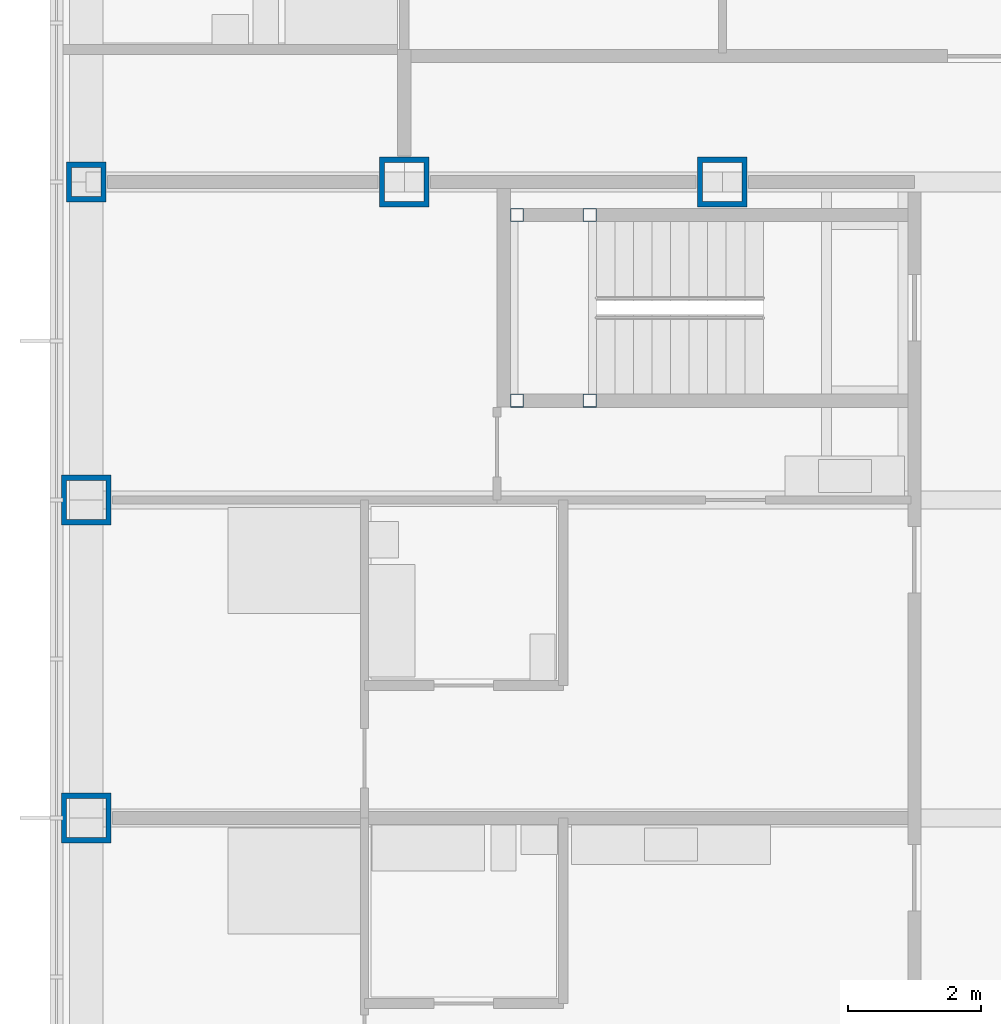
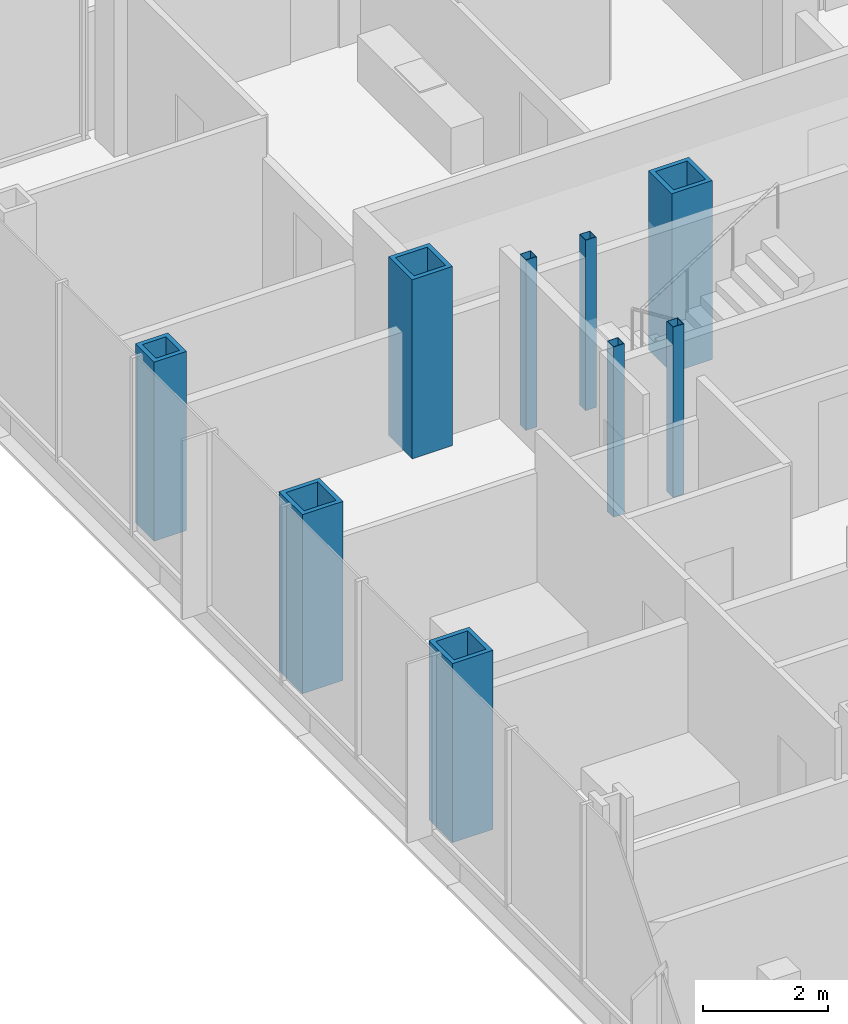
# One storey, part 3 of 21: 9 columns.
"""IFC4 building model written with IfcOpenShell, lengths in metres."""

import ifcopenshell
import ifcopenshell.guid

model = None  # the IFC model being written
_history = None  # IfcOwnerHistory: only IFC2X3 demands one
_inside = {}  # id of a spatial element -> (the spatial element, [elements in it])
_under = {}  # id of a project, library or spatial element -> (it, [spatial elements below it])
_declared = {}  # id of a project -> (the project, [libraries it declares])
_typed = {}  # id of a type object -> (the type object, [elements of that type])
_made_of = {}  # id of a material, layer set ... -> (it, [elements and type objects made of it])


def new_model(schema):
    """Start an empty IFC model of exactly this schema.

    Asked for "IFC4X3", IfcOpenShell would pick the latest addendum, in which some entities
    have other attributes; the version numbers below select the first issue.
    IFC2X3 requires an IfcOwnerHistory on every rooted entity: one is made here for all.
    """
    global model, _history
    if schema == "IFC4X3":
        model = ifcopenshell.file(schema_version=(4, 3, 0, 0))
    else:
        model = ifcopenshell.file(schema=schema)
    _inside.clear()
    _under.clear()
    _declared.clear()
    _typed.clear()
    _made_of.clear()
    _history = None
    if model.schema == "IFC2X3":
        org = make("IfcOrganization", Name="unknown")
        user = make(
            "IfcPersonAndOrganization",
            ThePerson=make("IfcPerson", FamilyName="unknown"),
            TheOrganization=org,
        )
        app = make(
            "IfcApplication",
            ApplicationDeveloper=org,
            Version="unknown",
            ApplicationFullName="unknown",
            ApplicationIdentifier="unknown",
        )
        _history = make(
            "IfcOwnerHistory",
            OwningUser=user,
            OwningApplication=app,
            ChangeAction="ADDED",
            CreationDate=0,
        )
    return model


def make(cls, **values):
    """One entity of the class cls with the attributes given. An attribute that is None is left unset."""
    return model.create_entity(
        cls, **{name: value for name, value in values.items() if value is not None}
    )


def rooted(cls, **values):
    """An entity with a GlobalId (a new one), such as an element, a storey or a relation."""
    return make(cls, GlobalId=ifcopenshell.guid.new(), OwnerHistory=_history, **values)


def si_unit(unit_type, name, prefix=None):
    """IfcSIUnit, for example si_unit("LENGTHUNIT", "METRE", prefix="MILLI")."""
    return make("IfcSIUnit", UnitType=unit_type, Prefix=prefix, Name=name)


def assignment(units):
    """IfcUnitAssignment: the units of a project."""
    return None if units is None else make("IfcUnitAssignment", Units=units)


def point(xyz):
    """IfcCartesianPoint."""
    return None if xyz is None else make("IfcCartesianPoint", Coordinates=xyz)


def direction(xyz):
    """IfcDirection."""
    return None if xyz is None else make("IfcDirection", DirectionRatios=xyz)


def frame(location, z_axis=None, x_axis=None):
    """IfcAxis2Placement3D, a coordinate frame: its origin and axes. An axis left out is left unset."""
    return make(
        "IfcAxis2Placement3D",
        Location=point(location),
        Axis=direction(z_axis),
        RefDirection=direction(x_axis),
    )


def frame_2d(location, x_axis=None):
    """IfcAxis2Placement2D, a coordinate frame in the plane: its origin and x axis."""
    return make(
        "IfcAxis2Placement2D", Location=point(location), RefDirection=direction(x_axis)
    )


def origin():
    """The frame at (0, 0, 0) with its axes left unset."""
    return frame((0.0, 0.0, 0.0))


def origin_2d():
    """The frame at (0, 0) in the plane with its x axis left unset."""
    return frame_2d((0.0, 0.0))


def place(relative_to, where):
    """IfcLocalPlacement: puts the frame where relative to a parent placement (None: the world)."""
    return make(
        "IfcLocalPlacement", PlacementRelTo=relative_to, RelativePlacement=where
    )


def context(
    kind, dimensions, precision=None, world=None, true_north=None, identifier=None
):
    """IfcGeometricRepresentationContext, for example the 3D "Model" context."""
    return make(
        "IfcGeometricRepresentationContext",
        ContextIdentifier=identifier,
        ContextType=kind,
        CoordinateSpaceDimension=dimensions,
        Precision=precision,
        WorldCoordinateSystem=world,
        TrueNorth=true_north,
    )


def subcontext(parent, identifier, kind, view, scale=None):
    """IfcGeometricRepresentationSubContext, for example "Body" below "Model"."""
    return make(
        "IfcGeometricRepresentationSubContext",
        ContextIdentifier=identifier,
        ContextType=kind,
        ParentContext=parent,
        TargetScale=scale,
        TargetView=view,
    )


def project(units=None, contexts=None):
    """IfcProject with its units and contexts."""
    return rooted(
        "IfcProject",
        Name="project",
        RepresentationContexts=contexts,
        UnitsInContext=assignment(units),
    )


def spatial(cls, under=None, at=None, **own):
    """A site, building, storey or space (cls), placed at a placement, below another one or the project."""
    s = rooted(cls, ObjectPlacement=at, **own)
    if under is not None:
        _under.setdefault(under.id(), (under, []))[1].append(s)
    return s


def profile(cls, at=None, kind="AREA", **sizes):
    """A parametric profile (cls). Its sizes go by their IFC names, for example OverallWidth=200.0."""
    return make(cls, ProfileType=kind, Position=at, **sizes)


def hollow_rectangle(**sizes):
    """IfcRectangleHollowProfileDef."""
    return profile("IfcRectangleHollowProfileDef", **sizes)


def extrude(swept, where, along, depth):
    """IfcExtrudedAreaSolid: the profile swept, set in the frame where, extruded along a direction by depth."""
    return make(
        "IfcExtrudedAreaSolid",
        SweptArea=swept,
        Position=where,
        ExtrudedDirection=direction(along),
        Depth=depth,
    )


def shape(context_of_items, identifier, shape_type, items):
    """IfcShapeRepresentation: the items that make up one representation, for example the "Body"."""
    return make(
        "IfcShapeRepresentation",
        ContextOfItems=context_of_items,
        RepresentationIdentifier=identifier,
        RepresentationType=shape_type,
        Items=items,
    )


def material(Name=None, Category=None):
    """IfcMaterial."""
    return make("IfcMaterial", Name=Name, Category=Category)


def material_profile(
    of_material, cross_section, Name=None, Category=None, Priority=None
):
    """IfcMaterialProfile: a cross section and its material."""
    return make(
        "IfcMaterialProfile",
        Name=Name,
        Material=of_material,
        Profile=cross_section,
        Priority=Priority,
        Category=Category,
    )


def profile_set(profiles, Name=None, composite=None):
    """IfcMaterialProfileSet."""
    return make(
        "IfcMaterialProfileSet",
        Name=Name,
        MaterialProfiles=profiles,
        CompositeProfile=composite,
    )


def made_of(thing, what):
    """Note that an element or type object is made of a material, layer set ...; save() writes the relation."""
    if what is not None:
        _made_of.setdefault(what.id(), (what, []))[1].append(thing)
    return thing


def type_object(cls, material=None, **own):
    """A type object (cls), such as IfcWallType, which elements share."""
    return made_of(rooted(cls, **own), material)


def element(
    cls,
    number,
    at=None,
    inside=None,
    cuts=None,
    type_object=None,
    material=None,
    context=None,
    identifier="Body",
    shape_type=None,
    held_by="IfcProductDefinitionShape",
    body=None,
    shapes=None,
    **own,
):
    """One element of the class cls, such as IfcWall. Its Tag is "e" and its number.

    at: its placement. inside: the storey or other place that contains it. cuts: it is an
    opening in that element (IfcRelVoidsElement). A single representation is given by context,
    identifier, shape_type and body (its items); several are given by shapes. held_by: the class
    of the entity that holds the representations. save() writes the other relations.
    """
    e = rooted(cls, Tag="e%d" % number, ObjectPlacement=at, **own)
    if body is not None:
        shapes = [shape(context, identifier, shape_type, body)]
    if shapes is not None:
        e.Representation = make(held_by, Representations=shapes)
    if inside is not None:
        _inside.setdefault(inside.id(), (inside, []))[1].append(e)
    if cuts is not None:
        rooted(
            "IfcRelVoidsElement", RelatingBuildingElement=cuts, RelatedOpeningElement=e
        )
    if type_object is not None:
        _typed.setdefault(type_object.id(), (type_object, []))[1].append(e)
    return made_of(e, material)


def aggregate(whole, parts):
    """IfcRelAggregates: a whole, such as a stair, and the parts it consists of."""
    return rooted("IfcRelAggregates", RelatingObject=whole, RelatedObjects=parts)


def save(model, path):
    """Write the relations noted so far, then the file.

    IfcRelAggregates (storeys below a building ...), IfcRelContainedInSpatialStructure (elements
    in a storey), IfcRelDefinesByType, IfcRelAssociatesMaterial and IfcRelDeclares: one each for
    every whole, place, type object, material and project.
    """
    for whole, parts in _under.values():
        aggregate(whole, parts)
    for where, things in _inside.values():
        rooted(
            "IfcRelContainedInSpatialStructure",
            RelatedElements=things,
            RelatingStructure=where,
        )
    for kind, things in _typed.values():
        rooted("IfcRelDefinesByType", RelatedObjects=things, RelatingType=kind)
    for what, things in _made_of.values():
        rooted("IfcRelAssociatesMaterial", RelatedObjects=things, RelatingMaterial=what)
    for by, libraries in _declared.values():
        rooted("IfcRelDeclares", RelatingContext=by, RelatedDefinitions=libraries)
    model.write(path)


model = new_model("IFC4")

# Units and contexts
model_context = context("Model", 3, precision=1e-05, world=origin(), true_north=direction((0.0, 1.0)))
body_context = subcontext(model_context, "Body", "Model", "MODEL_VIEW")
ifc_project = project(units=[si_unit("LENGTHUNIT", "METRE"), si_unit("AREAUNIT", "SQUARE_METRE"), si_unit("VOLUMEUNIT", "CUBIC_METRE"), si_unit("PLANEANGLEUNIT", "RADIAN"), si_unit("MASSUNIT", "GRAM", prefix="KILO")], contexts=[model_context])

# Site, building, storey
site_placement = place(None, origin())
site = spatial("IfcSite", under=ifc_project, at=site_placement, CompositionType="ELEMENT")
building_placement = place(site_placement, origin())
building = spatial("IfcBuilding", under=site, at=building_placement, Name="Kvirike Care Tower", CompositionType="ELEMENT")
storey_placement = place(building_placement, frame((0.0, 0.0, 51.5)))
storey = spatial("IfcBuildingStorey", under=building, at=storey_placement, Name="L13", CompositionType="ELEMENT", Elevation=51.5)

# Columns
ifc_material_1 = material(Name="Steel S460", Category="steel")
ifc_material_profile_1 = material_profile(ifc_material_1, hollow_rectangle(XDim=0.60009765625, YDim=0.60009765625, WallThickness=0.080078125, at=origin_2d()), Name="BX 600x600x80")
ifc_profile_set_1 = profile_set([ifc_material_profile_1], Name="Steel S460")
column_type_1 = type_object("IfcColumnType", Name="COLUMN BX 600x600x80", PredefinedType="COLUMN", material=ifc_profile_set_1)
column_placement = place(storey_placement, frame((0.0, 43.199951171875, 0.0), z_axis=(0.0, 0.0, 1.0), x_axis=(0.0, 1.0, 0.0)))
element("IfcColumn", 1, at=column_placement, inside=storey, type_object=column_type_1, Name="Column K3 L13", PredefinedType="COLUMN", context=body_context, shape_type="SweptSolid", body=[
    extrude(hollow_rectangle(XDim=0.60009765625, YDim=0.60009765625, WallThickness=0.080078125, at=origin_2d()), origin(), (0.0, 0.0, 1.0), 3.5),
])
ifc_material_2 = material(Name="Steel S460", Category="steel")
ifc_material_profile_2 = material_profile(ifc_material_2, hollow_rectangle(XDim=0.75, YDim=0.75, WallThickness=0.080078125, at=origin_2d()), Name="BX 750x750x80")
ifc_profile_set_2 = profile_set([ifc_material_profile_2], Name="Steel S460")
column_type_2 = type_object("IfcColumnType", Name="COLUMN BX 750x750x80", PredefinedType="COLUMN", material=ifc_profile_set_2)
for number, where, z_axis, x_axis, name in (
    (2, (0.0, 33.60009765625, 0.0), (0.0, 0.0, 1.0), (1.0, 0.0, 0.0), "Column H3 L13"),
    (3, (0.0, 38.39990234375, 0.0), (0.0, 0.0, 1.0), (1.0, 0.0, 0.0), "Column J3 L13"),
    (4, (4.800048828125, 43.199951171875, 0.0), (0.0, 0.0, 1.0), (0.0, 1.0, 0.0), "Column K4 L13"),
    (5, (9.60009765625, 43.199951171875, 0.0), (0.0, 0.0, 1.0), (0.0, 1.0, 0.0), "Column K5 L13"),
):
    element("IfcColumn", number, at=place(storey_placement, frame(where, z_axis=z_axis, x_axis=x_axis)), inside=storey, type_object=column_type_2, Name=name, PredefinedType="COLUMN", context=body_context, shape_type="SweptSolid", body=[
        extrude(hollow_rectangle(XDim=0.75, YDim=0.75, WallThickness=0.080078125, at=origin_2d()), origin(), (0.0, 0.0, 1.0), 3.5),
    ])
ifc_material_3 = material(Name="Steel S460", Category="steel")
ifc_material_profile_3 = material_profile(ifc_material_3, hollow_rectangle(XDim=0.199951171875, YDim=0.199951171875, WallThickness=0.008056640625, at=origin_2d()), Name="SHS 200x200x8")
ifc_profile_set_3 = profile_set([ifc_material_profile_3], Name="Steel S460")
column_type_3 = type_object("IfcColumnType", Name="STAIR POST SHS 200x200x8", PredefinedType="COLUMN", material=ifc_profile_set_3)
for number, where, z_axis, x_axis, name in (
    (6, (6.5, 42.699951171875, 0.0), (0.0, 0.0, 1.0), (1.0, 0.0, 0.0), "Stair 1 post 1 L13"),
    (7, (6.5, 39.89990234375, 0.0), (0.0, 0.0, 1.0), (1.0, 0.0, 0.0), "Stair 1 post 2 L13"),
    (8, (7.60009765625, 42.699951171875, 0.0), (0.0, 0.0, 1.0), (1.0, 0.0, 0.0), "Stair 1 post 3 L13"),
    (9, (7.60009765625, 39.89990234375, 0.0), (0.0, 0.0, 1.0), (1.0, 0.0, 0.0), "Stair 1 post 4 L13"),
):
    element("IfcColumn", number, at=place(storey_placement, frame(where, z_axis=z_axis, x_axis=x_axis)), inside=storey, type_object=column_type_3, Name=name, PredefinedType="COLUMN", context=body_context, shape_type="SweptSolid", body=[
        extrude(hollow_rectangle(XDim=0.199951171875, YDim=0.199951171875, WallThickness=0.008056640625, at=origin_2d()), origin(), (0.0, 0.0, 1.0), 3.330078125),
    ])

save(model, "model.ifc")
